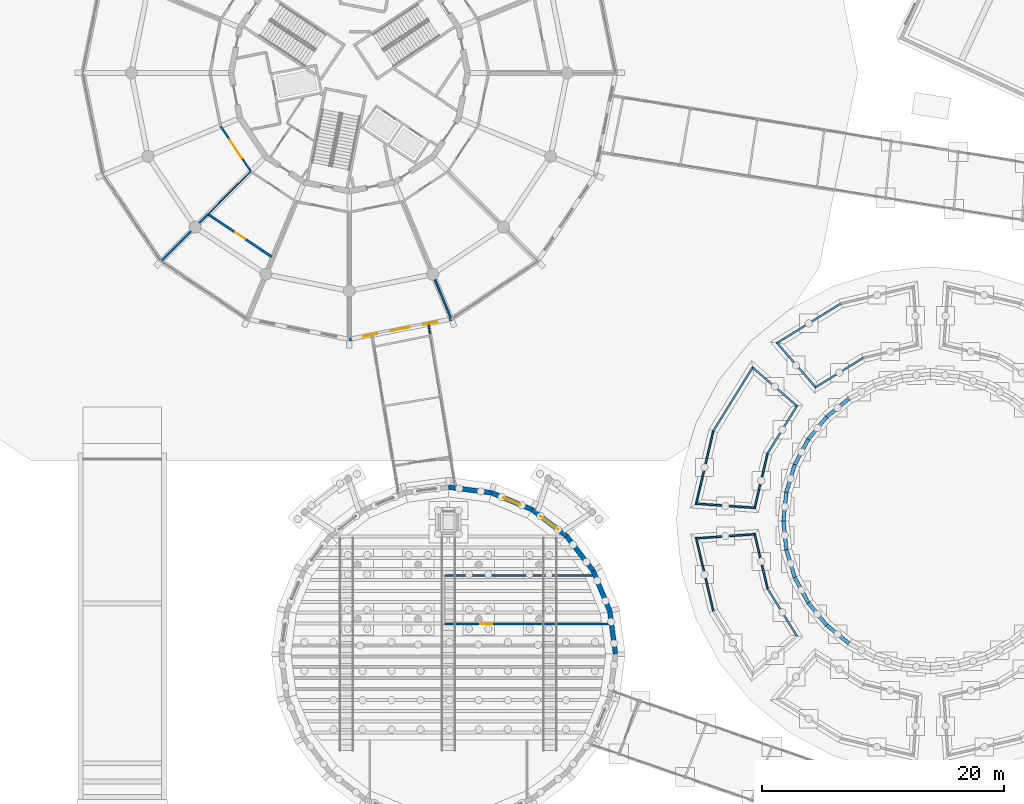
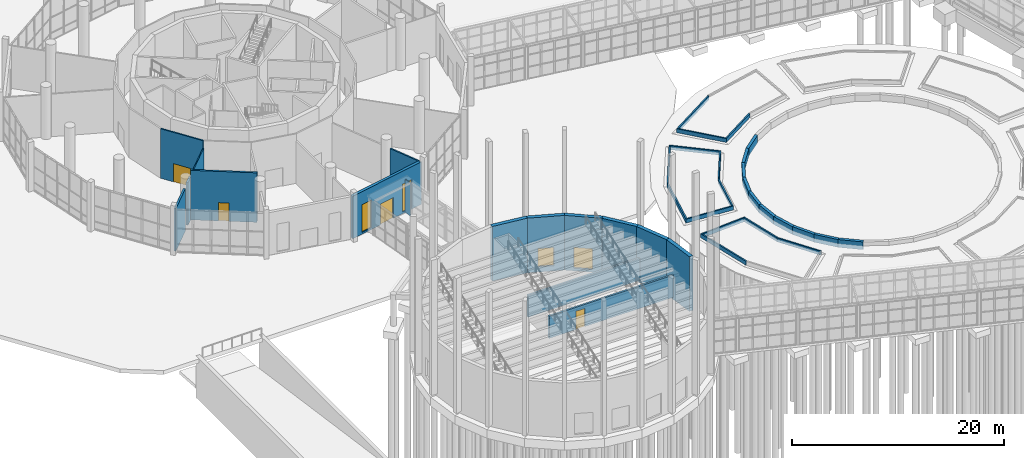
# One storey, part 162 of 226: 39 walls, 5 doors, 3 windows, 8 openings.
"""IFC4 building model written with IfcOpenShell, lengths in metres."""

from ifc_helpers import new_model, si_unit, direction, frame, frame_2d, origin, place, context, subcontext, project, spatial, polyline, rectangle, outline, extrude, material, layer, layer_set, type_object, element, fill, save


model = new_model("IFC4")

# Units and contexts
model_context = context("Model", 3, precision=1e-05, world=origin(), true_north=direction((0.0, 1.0)))
body_context = subcontext(model_context, "Body", "Model", "MODEL_VIEW")
ifc_project = project(units=[si_unit("LENGTHUNIT", "METRE"), si_unit("AREAUNIT", "SQUARE_METRE"), si_unit("VOLUMEUNIT", "CUBIC_METRE"), si_unit("PLANEANGLEUNIT", "RADIAN"), si_unit("MASSUNIT", "GRAM", prefix="KILO")], contexts=[model_context])

# Site, building, storey
site_placement = place(None, origin())
site = spatial("IfcSite", under=ifc_project, at=site_placement, CompositionType="ELEMENT")
building_placement = place(site_placement, origin())
building = spatial("IfcBuilding", under=site, at=building_placement, Name="Ceibo Conservatory and Research Tower", CompositionType="ELEMENT")
storey_placement = place(building_placement, origin())
storey = spatial("IfcBuildingStorey", under=building, at=storey_placement, Name="L00", CompositionType="ELEMENT", Elevation=0.0)

# Walls
ifc_material_1 = material(Name="Concrete C30/37", Category="concrete")
ifc_layer_1 = layer(ifc_material_1, 0.300048828125)
ifc_layer_set_1 = layer_set([ifc_layer_1], Name="Concrete C30/37")
wall_type_1 = type_object("IfcWallType", Name="Basin kerb wall 300", PredefinedType="PARAPET", material=ifc_layer_set_1)
for number, where, z_axis, x_axis, name in (
    (1, (89.250244140625, 93.101806640625, -0.449951171875), (0.0, 0.0, 1.0), (-0.772997321225, -0.634409285382, 0.0), "Basin kerb 12"),
    (2, (87.4091796875, 91.5908203125, -0.449951171875), (0.0, 0.0, 1.0), (-0.634409285382, -0.772997321225, 0.0), "Basin kerb 13"),
):
    element("IfcWall", number, at=place(storey_placement, frame(where, z_axis=z_axis, x_axis=x_axis)), inside=storey, type_object=wall_type_1, Name=name, PredefinedType="PARAPET", context=body_context, shape_type="SweptSolid", body=[
        extrude(outline(polyline([(-0.014892578125, -0.14990234375), (2.396728515625, -0.14990234375), (2.366943359375, 0.14990234375), (0.014892578125, 0.14990234375), (-0.014892578125, -0.14990234375)])), origin(), (0.0, 0.0, 1.0), 0.89990234375),
    ])
wall_1_placement = place(storey_placement, frame((85.898193359375, 89.749755859375, -0.449951171875), z_axis=(0.0, 0.0, 1.0), x_axis=(-0.471364898208, -0.881938281705, 0.0)))
element("IfcWall", 3, at=wall_1_placement, inside=storey, type_object=wall_type_1, Name="Basin kerb 14", PredefinedType="PARAPET", context=body_context, shape_type="SweptSolid", body=[
    extrude(outline(polyline([(-0.014892578125, -0.14990234375), (2.396484375, -0.14990234375), (2.36669921875, 0.14990234375), (0.014892578125, 0.14990234375), (-0.014892578125, -0.14990234375)])), origin(), (0.0, 0.0, 1.0), 0.89990234375),
])
wall_2_placement = place(storey_placement, frame((84.775634765625, 87.6494140625, -0.449951171875), z_axis=(0.0, 0.0, 1.0), x_axis=(-0.290280487381, -0.956941606706, 0.0)))
element("IfcWall", 4, at=wall_2_placement, inside=storey, type_object=wall_type_1, Name="Basin kerb 15", PredefinedType="PARAPET", context=body_context, shape_type="SweptSolid", body=[
    extrude(outline(polyline([(-0.014892578125, -0.14990234375), (2.396728515625, -0.14990234375), (2.366943359375, 0.14990234375), (0.014892578125, 0.14990234375), (-0.014892578125, -0.14990234375)])), origin(), (0.0, 0.0, 1.0), 0.89990234375),
])
for number, where, z_axis, x_axis, name in (
    (5, (84.084228515625, 85.3701171875, -0.449951171875), (0.0, 0.0, 1.0), (-0.098001449933, -0.995186271916, 0.0), "Basin kerb 16"),
    (6, (83.850830078125, 83.0, -0.449951171875), (0.0, 0.0, 1.0), (0.098001449933, -0.995186271916, 0.0), "Basin kerb 17"),
):
    element("IfcWall", number, at=place(storey_placement, frame(where, z_axis=z_axis, x_axis=x_axis)), inside=storey, type_object=wall_type_1, Name=name, PredefinedType="PARAPET", context=body_context, shape_type="SweptSolid", body=[
        extrude(outline(polyline([(-0.014892578125, -0.14990234375), (2.396484375, -0.14990234375), (2.36669921875, 0.14990234375), (0.014892578125, 0.14990234375), (-0.014892578125, -0.14990234375)])), origin(), (0.0, 0.0, 1.0), 0.89990234375),
    ])
wall_3_placement = place(storey_placement, frame((84.084228515625, 80.6298828125, -0.449951171875), z_axis=(0.0, 0.0, 1.0), x_axis=(0.290280487381, -0.956941606706, 0.0)))
element("IfcWall", 7, at=wall_3_placement, inside=storey, type_object=wall_type_1, Name="Basin kerb 18", PredefinedType="PARAPET", context=body_context, shape_type="SweptSolid", body=[
    extrude(outline(polyline([(-0.014892578125, -0.14990234375), (2.396728515625, -0.14990234375), (2.366943359375, 0.14990234375), (0.014892578125, 0.14990234375), (-0.014892578125, -0.14990234375)])), origin(), (0.0, 0.0, 1.0), 0.89990234375),
])
wall_4_placement = place(storey_placement, frame((84.775634765625, 78.3505859375, -0.449951171875), z_axis=(0.0, 0.0, 1.0), x_axis=(0.471364898208, -0.881938281705, 0.0)))
element("IfcWall", 8, at=wall_4_placement, inside=storey, type_object=wall_type_1, Name="Basin kerb 19", PredefinedType="PARAPET", context=body_context, shape_type="SweptSolid", body=[
    extrude(outline(polyline([(-0.014892578125, -0.14990234375), (2.396484375, -0.14990234375), (2.36669921875, 0.14990234375), (0.014892578125, 0.14990234375), (-0.014892578125, -0.14990234375)])), origin(), (0.0, 0.0, 1.0), 0.89990234375),
])
for number, where, z_axis, x_axis, name in (
    (9, (85.898193359375, 76.250244140625, -0.449951171875), (0.0, 0.0, 1.0), (0.634409285382, -0.772997321225, 0.0), "Basin kerb 20"),
    (10, (87.4091796875, 74.4091796875, -0.449951171875), (0.0, 0.0, 1.0), (0.772997321225, -0.634409285382, 0.0), "Basin kerb 21"),
):
    element("IfcWall", number, at=place(storey_placement, frame(where, z_axis=z_axis, x_axis=x_axis)), inside=storey, type_object=wall_type_1, Name=name, PredefinedType="PARAPET", context=body_context, shape_type="SweptSolid", body=[
        extrude(outline(polyline([(-0.014892578125, -0.14990234375), (2.396728515625, -0.14990234375), (2.366943359375, 0.14990234375), (0.014892578125, 0.14990234375), (-0.014892578125, -0.14990234375)])), origin(), (0.0, 0.0, 1.0), 0.89990234375),
    ])
ifc_layer_2 = layer(ifc_material_1, 0.14990234375)
ifc_layer_set_2 = layer_set([ifc_layer_2], Name="Concrete C30/37")
wall_type_2 = type_object("IfcWallType", Name="Bed kerb wall 150", PredefinedType="PARAPET", material=ifc_layer_set_2)
wall_5_placement = place(storey_placement, frame((88.566650390625, 100.945556640625, 0.0), z_axis=(0.0, 0.0, 1.0), x_axis=(-0.850340207084, -0.526233343886, 0.0)))
element("IfcWall", 11, at=wall_5_placement, inside=storey, type_object=wall_type_2, Name="Bed PB3 kerb 03", PredefinedType="PARAPET", context=body_context, shape_type="SweptSolid", body=[
    extrude(outline(polyline([(-0.01220703125, -0.074951171875), (6.256591796875, -0.074951171875), (6.080322265625, 0.074951171875), (0.01220703125, 0.074951171875), (-0.01220703125, -0.074951171875)])), origin(), (0.0, 0.0, 1.0), 0.449951171875),
])
wall_6_placement = place(storey_placement, frame((83.3212890625, 97.699462890625, 0.0), z_axis=(0.0, 0.0, 1.0), x_axis=(0.656059019248, -0.754709588692, 0.0)))
element("IfcWall", 12, at=wall_6_placement, inside=storey, type_object=wall_type_2, Name="Bed PB3 kerb 04", PredefinedType="PARAPET", context=body_context, shape_type="SweptSolid", body=[
    extrude(outline(polyline([(-0.088134765625, -0.074951171875), (4.911865234375, -0.074951171875), (4.784423828125, 0.074951171875), (0.088134765625, 0.074951171875), (-0.088134765625, -0.074951171875)])), origin(), (0.0, 0.0, 1.0), 0.449951171875),
])
wall_7_placement = place(storey_placement, frame((86.501953125, 94.04052734375, 0.0), z_axis=(0.0, 0.0, 1.0), x_axis=(0.850337369137, 0.526237929695, 0.0)))
element("IfcWall", 13, at=wall_7_placement, inside=storey, type_object=wall_type_2, Name="Bed PB3 kerb 05", PredefinedType="PARAPET", context=body_context, shape_type="SweptSolid", body=[
    extrude(outline(polyline([(-0.063720703125, -0.074951171875), (4.597900390625, -0.074951171875), (4.622314453125, 0.074951171875), (0.063720703125, 0.074951171875), (-0.063720703125, -0.074951171875)])), origin(), (0.0, 0.0, 1.0), 0.449951171875),
])
wall_8_placement = place(storey_placement, frame((84.95947265625, 92.498046875, 0.0), z_axis=(0.0, 0.0, 1.0), x_axis=(-0.754709588692, 0.656059019248, 0.0)))
element("IfcWall", 14, at=wall_8_placement, inside=storey, type_object=wall_type_2, Name="Bed PB4 kerb 01", PredefinedType="PARAPET", context=body_context, shape_type="SweptSolid", body=[
    extrude(outline(polyline([(-0.063720703125, -0.074951171875), (4.936279296875, -0.074951171875), (4.760009765625, 0.074951171875), (0.063720703125, 0.074951171875), (-0.063720703125, -0.074951171875)])), origin(), (0.0, 0.0, 1.0), 0.449951171875),
])
wall_9_placement = place(storey_placement, frame((81.300537109375, 95.6787109375, 0.0), z_axis=(0.0, 0.0, 1.0), x_axis=(-0.526233343886, -0.850340207084, 0.0)))
element("IfcWall", 15, at=wall_9_placement, inside=storey, type_object=wall_type_2, Name="Bed PB4 kerb 02", PredefinedType="PARAPET", context=body_context, shape_type="SweptSolid", body=[
    extrude(outline(polyline([(-0.088134765625, -0.074951171875), (6.1806640625, -0.074951171875), (6.15625, 0.074951171875), (0.088134765625, 0.074951171875), (-0.088134765625, -0.074951171875)])), origin(), (0.0, 0.0, 1.0), 0.449951171875),
])
wall_10_placement = place(storey_placement, frame((78.054443359375, 90.433349609375, 0.0), z_axis=(0.0, 0.0, 1.0), x_axis=(-0.229195955664, -0.973380302815, 0.0)))
element("IfcWall", 16, at=wall_10_placement, inside=storey, type_object=wall_type_2, Name="Bed PB4 kerb 03", PredefinedType="PARAPET", context=body_context, shape_type="SweptSolid", body=[
    extrude(outline(polyline([(-0.01220703125, -0.074951171875), (6.2568359375, -0.074951171875), (6.08056640625, 0.074951171875), (0.01220703125, 0.074951171875), (-0.01220703125, -0.074951171875)])), origin(), (0.0, 0.0, 1.0), 0.449951171875),
])
wall_11_placement = place(storey_placement, frame((76.640625, 84.428955078125, 0.0), z_axis=(0.0, 0.0, 1.0), x_axis=(0.997564926724, -0.069743938592, 0.0)))
element("IfcWall", 17, at=wall_11_placement, inside=storey, type_object=wall_type_2, Name="Bed PB4 kerb 04", PredefinedType="PARAPET", context=body_context, shape_type="SweptSolid", body=[
    extrude(outline(polyline([(-0.088134765625, -0.074951171875), (4.911865234375, -0.074951171875), (4.784423828125, 0.074951171875), (0.088134765625, 0.074951171875), (-0.088134765625, -0.074951171875)])), origin(), (0.0, 0.0, 1.0), 0.449951171875),
])
wall_12_placement = place(storey_placement, frame((81.47705078125, 84.0908203125, 0.0), z_axis=(0.0, 0.0, 1.0), x_axis=(0.229166266762, 0.973387293002, 0.0)))
element("IfcWall", 18, at=wall_12_placement, inside=storey, type_object=wall_type_2, Name="Bed PB4 kerb 05", PredefinedType="PARAPET", context=body_context, shape_type="SweptSolid", body=[
    extrude(outline(polyline([(-0.063720703125, -0.074951171875), (4.597412109375, -0.074951171875), (4.621826171875, 0.074951171875), (0.063720703125, 0.074951171875), (-0.063720703125, -0.074951171875)])), origin(), (0.0, 0.0, 1.0), 0.449951171875),
])
wall_13_placement = place(storey_placement, frame((82.533447265625, 88.577880859375, 0.0), z_axis=(0.0, 0.0, 1.0), x_axis=(0.526237929695, 0.850337369137, 0.0)))
element("IfcWall", 19, at=wall_13_placement, inside=storey, type_object=wall_type_2, Name="Bed PB4 kerb 06", PredefinedType="PARAPET", context=body_context, shape_type="SweptSolid", body=[
    extrude(outline(polyline([(0.01220703125, -0.074951171875), (4.673828125, -0.074951171875), (4.54638671875, 0.074951171875), (-0.01220703125, 0.074951171875), (0.01220703125, -0.074951171875)])), origin(), (0.0, 0.0, 1.0), 0.449951171875),
])
wall_14_placement = place(storey_placement, frame((81.47705078125, 81.9091796875, 0.0), z_axis=(0.0, 0.0, 1.0), x_axis=(-0.997564926724, -0.069743938592, 0.0)))
element("IfcWall", 20, at=wall_14_placement, inside=storey, type_object=wall_type_2, Name="Bed PB5 kerb 01", PredefinedType="PARAPET", context=body_context, shape_type="SweptSolid", body=[
    extrude(outline(polyline([(-0.063720703125, -0.074951171875), (4.936279296875, -0.074951171875), (4.760009765625, 0.074951171875), (0.063720703125, 0.074951171875), (-0.063720703125, -0.074951171875)])), origin(), (0.0, 0.0, 1.0), 0.449951171875),
])
wall_15_placement = place(storey_placement, frame((76.640625, 81.571044921875, 0.0), z_axis=(0.0, 0.0, 1.0), x_axis=(0.229195955664, -0.973380302815, 0.0)))
element("IfcWall", 21, at=wall_15_placement, inside=storey, type_object=wall_type_2, Name="Bed PB5 kerb 02", PredefinedType="PARAPET", context=body_context, shape_type="SweptSolid", body=[
    extrude(outline(polyline([(-0.088134765625, -0.074951171875), (6.180908203125, -0.074951171875), (6.156494140625, 0.074951171875), (0.088134765625, 0.074951171875), (-0.088134765625, -0.074951171875)])), origin(), (0.0, 0.0, 1.0), 0.449951171875),
])
wall_16_placement = place(storey_placement, frame((84.95947265625, 73.501953125, 0.0), z_axis=(0.0, 0.0, 1.0), x_axis=(-0.526237929695, 0.850337369137, 0.0)))
element("IfcWall", 22, at=wall_16_placement, inside=storey, type_object=wall_type_2, Name="Bed PB5 kerb 05", PredefinedType="PARAPET", context=body_context, shape_type="SweptSolid", body=[
    extrude(outline(polyline([(-0.063720703125, -0.074951171875), (4.597900390625, -0.074951171875), (4.622314453125, 0.074951171875), (0.063720703125, 0.074951171875), (-0.063720703125, -0.074951171875)])), origin(), (0.0, 0.0, 1.0), 0.449951171875),
])
wall_17_placement = place(storey_placement, frame((82.533447265625, 77.422119140625, 0.0), z_axis=(0.0, 0.0, 1.0), x_axis=(-0.229166266762, 0.973387293002, 0.0)))
element("IfcWall", 23, at=wall_17_placement, inside=storey, type_object=wall_type_2, Name="Bed PB5 kerb 06", PredefinedType="PARAPET", context=body_context, shape_type="SweptSolid", body=[
    extrude(outline(polyline([(0.01220703125, -0.074951171875), (4.67333984375, -0.074951171875), (4.5458984375, 0.074951171875), (-0.01220703125, 0.074951171875), (0.01220703125, -0.074951171875)])), origin(), (0.0, 0.0, 1.0), 0.449951171875),
])
ifc_material_2 = material(Name="Masonry blockwork", Category="masonry")
ifc_layer_3 = layer(ifc_material_2, 0.199951171875)
ifc_layer_set_3 = layer_set([ifc_layer_3], Name="Masonry blockwork")
wall_type_3 = type_object("IfcWallType", Name="Compartment wall 200 EI 120", PredefinedType="SOLIDWALL", material=ifc_layer_set_3)
wall_18_placement = place(storey_placement, frame((34.925537109375, 106.925537109375, 0.0), z_axis=(0.0, 0.0, 1.0), x_axis=(-0.707106781187, -0.707106781187, 0.0)))
element("IfcWall", 24, at=wall_18_placement, inside=storey, type_object=wall_type_3, Name="Partition 00.033", PredefinedType="SOLIDWALL", context=body_context, shape_type="SweptSolid", body=[
    extrude(rectangle(XDim=3.448486328125, YDim=0.199951171875, at=frame_2d((1.72412109375, 0.0))), origin(), (0.0, 0.0, 1.0), 4.89990234375),
])
wall_19_placement = place(storey_placement, frame((36.332763671875, 108.332763671875, 0.0), z_axis=(0.0, 0.0, 1.0), x_axis=(-0.707106781187, -0.707106781187, 0.0)))
element("IfcWall", 25, at=wall_19_placement, inside=storey, type_object=wall_type_3, Name="Partition 00.034", PredefinedType="SOLIDWALL", context=body_context, shape_type="SweptSolid", body=[
    extrude(rectangle(XDim=1.010009765625, YDim=0.199951171875, at=frame_2d((0.5048828125, 0.0))), origin(), (0.0, 0.0, 1.0), 4.89990234375),
])

# Wall, opening, door
wall_20_placement = place(storey_placement, frame((41.626220703125, 104.795654296875, 0.0), z_axis=(0.0, 0.0, 1.0), x_axis=(-0.831473419285, 0.555564535426, 0.0)))
wall_20 = element("IfcWall", 26, at=wall_20_placement, inside=storey, type_object=wall_type_3, Name="Partition 00.035", PredefinedType="SOLIDWALL", context=body_context, shape_type="SweptSolid", body=[
    extrude(rectangle(XDim=6.320556640625, YDim=0.199951171875, at=frame_2d((3.16015625, 0.0))), origin(), (0.0, 0.0, 1.0), 5.699951171875),
])
opening_1_placement = place(wall_20_placement, frame((2.66015625, 0.0, 0.0)))
opening_1 = element("IfcOpeningElement", 27, at=opening_1_placement, cuts=wall_20, Name="Opening T00-12", PredefinedType="OPENING", context=body_context, shape_type="SweptSolid", body=[
    extrude(rectangle(XDim=1.0, YDim=2.10009765625, at=frame_2d((0.5, 1.050048828125))), frame((0.0, 0.10986328125, 0.0), z_axis=(0.0, -1.0, 0.0), x_axis=(1.0, 0.0, 0.0)), (0.0, 0.0, 1.0), 0.219970703125),
])
ifc_material_3 = material(Name="Solid timber", Category="wood")
door_type_1 = type_object("IfcDoorType", Name="Door single wide 1000x2100 (right hand)", OperationType="SINGLE_SWING_RIGHT", PredefinedType="DOOR", material=ifc_material_3)
door_1_placement = place(opening_1_placement, origin())
door_1 = element("IfcDoor", 28, at=door_1_placement, inside=storey, type_object=door_type_1, Name="Door T00-12", OperationType="SINGLE_SWING_RIGHT", OverallHeight=2.10009765625, OverallWidth=1.0, PredefinedType="DOOR", context=body_context, shape_type="SweptSolid", body=[
    extrude(rectangle(XDim=1.0, YDim=2.10009765625, at=frame_2d((0.5, 1.050048828125))), frame((0.0, 0.02490234375, 0.0), z_axis=(0.0, -1.0, 0.0), x_axis=(1.0, 0.0, 0.0)), (0.0, 0.0, 1.0), 0.050048828125),
])
fill(opening_1, door_1)

wall_21_placement = place(storey_placement, frame((55.89990234375, 74.5, 0.0), z_axis=(0.0, 0.0, 1.0), x_axis=(1.0, 0.0, 0.0)))
wall_21 = element("IfcWall", 29, at=wall_21_placement, inside=storey, type_object=wall_type_3, Name="Plant room wall A04", PredefinedType="SOLIDWALL", context=body_context, shape_type="SweptSolid", body=[
    extrude(rectangle(XDim=13.547607421875, YDim=0.199951171875, at=frame_2d((6.77392578125, 0.0))), origin(), (0.0, 0.0, 1.0), 2.550048828125),
])
opening_2_placement = place(wall_21_placement, frame((2.900146484375, 0.0, 0.0)))
opening_2 = element("IfcOpeningElement", 30, at=opening_2_placement, cuts=wall_21, Name="Opening AUD-D01", PredefinedType="OPENING", context=body_context, shape_type="SweptSolid", body=[
    extrude(rectangle(XDim=1.0, YDim=2.10009765625, at=frame_2d((0.5, 1.050048828125))), frame((0.0, 0.10986328125, 0.0), z_axis=(0.0, -1.0, 0.0), x_axis=(1.0, 0.0, 0.0)), (0.0, 0.0, 1.0), 0.219970703125),
])
door_type_2 = type_object("IfcDoorType", Name="Door single wide 1000x2100 EI 120 (left hand)", OperationType="SINGLE_SWING_LEFT", PredefinedType="DOOR", material=ifc_material_3)
door_2_placement = place(opening_2_placement, frame((1.0, 0.0, 0.0), z_axis=(0.0, 0.0, 1.0), x_axis=(-1.0, 0.0, 0.0)))
door_2 = element("IfcDoor", 31, at=door_2_placement, inside=storey, type_object=door_type_2, Name="Plant room door AUD-D01", OperationType="SINGLE_SWING_LEFT", OverallHeight=2.10009765625, OverallWidth=1.0, PredefinedType="DOOR", context=body_context, shape_type="SweptSolid", body=[
    extrude(rectangle(XDim=1.0, YDim=2.10009765625, at=frame_2d((0.5, 1.050048828125))), frame((0.0, 0.02490234375, 0.0), z_axis=(0.0, -1.0, 0.0), x_axis=(1.0, 0.0, 0.0)), (0.0, 0.0, 1.0), 0.050048828125),
])
fill(opening_2, door_2)

# Wall
wall_22_placement = place(storey_placement, frame((55.89990234375, 78.5, 0.0), z_axis=(0.0, 0.0, 1.0), x_axis=(1.0, 0.0, 0.0)))
element("IfcWall", 32, at=wall_22_placement, inside=storey, type_object=wall_type_3, Name="Plant room wall A05", PredefinedType="SOLIDWALL", context=body_context, shape_type="SweptSolid", body=[
    extrude(rectangle(XDim=12.1787109375, YDim=0.199951171875, at=frame_2d((6.08935546875, 0.0))), origin(), (0.0, 0.0, 1.0), 2.550048828125),
])

# Wall, opening, door
ifc_material_4 = material(Name="Plasterboard on metal studs, fire board")
ifc_layer_4 = layer(ifc_material_4, 0.14990234375)
ifc_layer_set_4 = layer_set([ifc_layer_4], Name="Plasterboard on metal studs, fire board")
wall_type_4 = type_object("IfcWallType", Name="Corridor wall 150 EI 60", PredefinedType="PARTITIONING", material=ifc_layer_set_4)
wall_23_placement = place(storey_placement, frame((39.868408203125, 111.868408203125, 0.0), z_axis=(0.0, 0.0, 1.0), x_axis=(-0.555591382192, 0.831455480489, 0.0)))
wall_23 = element("IfcWall", 33, at=wall_23_placement, inside=storey, type_object=wall_type_4, Name="Partition 00.009", PredefinedType="PARTITIONING", context=body_context, shape_type="SweptSolid", body=[
    extrude(rectangle(XDim=4.487060546875, YDim=0.14990234375, at=frame_2d((2.24365234375, 0.0))), origin(), (0.0, 0.0, 1.0), 5.699951171875),
])
opening_3_placement = place(wall_23_placement, frame((1.343505859375, 0.0, 0.0)))
opening_3 = element("IfcOpeningElement", 34, at=opening_3_placement, cuts=wall_23, Name="Opening T00-10", PredefinedType="OPENING", context=body_context, shape_type="SweptSolid", body=[
    extrude(rectangle(XDim=1.800048828125, YDim=2.10009765625, at=frame_2d((0.89990234375, 1.050048828125))), frame((0.0, 0.0849609375, 0.0), z_axis=(0.0, -1.0, 0.0), x_axis=(1.0, 0.0, 0.0)), (0.0, 0.0, 1.0), 0.169921875),
])
ifc_material_5 = material(Name="Galvanised sheet steel DX51D", Category="steel")
door_type_3 = type_object("IfcDoorType", Name="Door fire double 1800x2100 EI 60", OperationType="DOUBLE_DOOR_SINGLE_SWING", PredefinedType="DOOR", material=ifc_material_5)
door_3_placement = place(opening_3_placement, origin())
door_3 = element("IfcDoor", 35, at=door_3_placement, inside=storey, type_object=door_type_3, Name="Door T00-10", OperationType="DOUBLE_DOOR_SINGLE_SWING", OverallHeight=2.10009765625, OverallWidth=1.800048828125, PredefinedType="DOOR", context=body_context, shape_type="SweptSolid", body=[
    extrude(rectangle(XDim=1.800048828125, YDim=2.10009765625, at=frame_2d((0.89990234375, 1.050048828125))), frame((0.0, 0.02490234375, 0.0), z_axis=(0.0, -1.0, 0.0), x_axis=(1.0, 0.0, 0.0)), (0.0, 0.0, 1.0), 0.050048828125),
])
fill(opening_3, door_3)

# Wall
wall_24_placement = place(storey_placement, frame((55.075927734375, 102.91748046875, 0.0), z_axis=(0.0, 0.0, 1.0), x_axis=(0.382654004196, -0.923891721509, 0.0)))
element("IfcWall", 36, at=wall_24_placement, inside=storey, type_object=wall_type_4, Name="Partition 00.042", PredefinedType="PARTITIONING", context=body_context, shape_type="SweptSolid", body=[
    extrude(rectangle(XDim=3.448486328125, YDim=0.14990234375, at=frame_2d((1.72412109375, 0.0))), origin(), (0.0, 0.0, 1.0), 4.89990234375),
])

# Wall, openings, door, windows
ifc_material_6 = material(Name="Ceramic mosaic tessera")
ifc_layer_5 = layer(ifc_material_6, 0.010009765625, Name="Ceramic mosaic")
ifc_material_7 = material(Name="Polymer-modified bedding mortar")
ifc_layer_6 = layer(ifc_material_7, 0.014892578125, Name="Bedding mortar")
ifc_material_8 = material(Name="Mineral wool insulation")
ifc_layer_7 = layer(ifc_material_8, 0.050048828125, Name="Insulation")
ifc_layer_8 = layer(ifc_material_1, 0.215087890625, Name="Reinforced concrete leaf")
ifc_material_9 = material(Name="Gypsum plaster")
ifc_layer_9 = layer(ifc_material_9, 0.010009765625, Name="Internal plaster")
ifc_layer_set_5 = layer_set([ifc_layer_5, ifc_layer_6, ifc_layer_7, ifc_layer_8, ifc_layer_9], Name="Concrete C30/37")
wall_type_5 = type_object("IfcWallType", Name="Facade panel wall 300", PredefinedType="SOLIDWALL", material=ifc_layer_set_5)
wall_25_placement = place(storey_placement, frame((48.0, 98.0, 0.0), z_axis=(0.0, 0.0, 1.0), x_axis=(0.980786880766, 0.195082276278, 0.0)))
wall_25 = element("IfcWall", 37, at=wall_25_placement, inside=storey, type_object=wall_type_5, Name="Facade wall L00 facet 13", PredefinedType="SOLIDWALL", context=body_context, shape_type="SweptSolid", body=[
    extrude(outline(polyline([(-0.02978515625, -0.14990234375), (8.61376953125, -0.14990234375), (8.55419921875, 0.14990234375), (0.02978515625, 0.14990234375), (-0.02978515625, -0.14990234375)])), origin(), (0.0, 0.0, 1.0), 4.89990234375),
])
opening_4_placement = place(wall_25_placement, frame((3.491943359375, 0.0, 0.0)))
opening_4 = element("IfcOpeningElement", 38, at=opening_4_placement, cuts=wall_25, Name="Opening E00.04", PredefinedType="OPENING", context=body_context, shape_type="SweptSolid", body=[
    extrude(rectangle(XDim=1.60009765625, YDim=2.39990234375, at=frame_2d((0.800048828125, 1.199951171875))), frame((0.0, 0.159912109375, 0.0), z_axis=(0.0, -1.0, 0.0), x_axis=(1.0, 0.0, 0.0)), (0.0, 0.0, 1.0), 0.320068359375),
])
opening_5_placement = place(wall_25_placement, frame((1.160888671875, 0.0, 0.199951171875)))
opening_5 = element("IfcOpeningElement", 39, at=opening_5_placement, cuts=wall_25, Name="Opening SW4", PredefinedType="OPENING", context=body_context, shape_type="SweptSolid", body=[
    extrude(rectangle(XDim=1.199951171875, YDim=3.199951171875, at=frame_2d((0.60009765625, 1.60009765625))), frame((0.0, 0.159912109375, 0.0), z_axis=(0.0, -1.0, 0.0), x_axis=(1.0, 0.0, 0.0)), (0.0, 0.0, 1.0), 0.320068359375),
])
opening_6_placement = place(wall_25_placement, frame((6.22314453125, 0.0, 0.199951171875)))
opening_6 = element("IfcOpeningElement", 40, at=opening_6_placement, cuts=wall_25, Name="Opening SW4", PredefinedType="OPENING", context=body_context, shape_type="SweptSolid", body=[
    extrude(rectangle(XDim=1.199951171875, YDim=3.199951171875, at=frame_2d((0.60009765625, 1.60009765625))), frame((0.0, 0.159912109375, 0.0), z_axis=(0.0, -1.0, 0.0), x_axis=(1.0, 0.0, 0.0)), (0.0, 0.0, 1.0), 0.320068359375),
])
ifc_material_10 = material(Name="Aluminium and glass", Category="aluminium")
door_type_4 = type_object("IfcDoorType", Name="Exterior gallery link double door 1600 x 2400", OperationType="DOUBLE_DOOR_DOUBLE_SWING", PredefinedType="DOOR", material=ifc_material_10)
door_4_placement = place(opening_4_placement, origin())
door_4 = element("IfcDoor", 41, at=door_4_placement, inside=storey, type_object=door_type_4, Name="Auditorium Foyer Link Door", OperationType="DOUBLE_DOOR_DOUBLE_SWING", OverallHeight=2.39990234375, OverallWidth=1.60009765625, PredefinedType="DOOR", context=body_context, shape_type="SweptSolid", body=[
    extrude(rectangle(XDim=1.60009765625, YDim=2.39990234375, at=frame_2d((0.800048828125, 1.199951171875))), frame((0.0, 0.02490234375, 0.0), z_axis=(0.0, -1.0, 0.0), x_axis=(1.0, 0.0, 0.0)), (0.0, 0.0, 1.0), 0.050048828125),
])
fill(opening_4, door_4)
ifc_material_11 = material(Name="Aluminium frame with double glazing", Category="aluminium")
window_type_1 = type_object("IfcWindowType", Name="Shopfront window SW2 1200 x 3200", PartitioningType="SINGLE_PANEL", PredefinedType="WINDOW", material=ifc_material_11)
window_1_placement = place(opening_5_placement, origin())
window_1 = element("IfcWindow", 42, at=window_1_placement, inside=storey, type_object=window_type_1, Name="T.L00.F12.WIN.1", OverallHeight=3.199951171875, OverallWidth=1.199951171875, PartitioningType="SINGLE_PANEL", PredefinedType="WINDOW", context=body_context, shape_type="SweptSolid", body=[
    extrude(rectangle(XDim=1.199951171875, YDim=3.199951171875, at=frame_2d((0.60009765625, 1.60009765625))), frame((0.0, 0.030029296875, 0.0), z_axis=(0.0, -1.0, 0.0), x_axis=(1.0, 0.0, 0.0)), (0.0, 0.0, 1.0), 0.06005859375),
])
fill(opening_5, window_1)
window_2_placement = place(opening_6_placement, origin())
window_2 = element("IfcWindow", 43, at=window_2_placement, inside=storey, type_object=window_type_1, Name="T.L00.F12.WIN.2", OverallHeight=3.199951171875, OverallWidth=1.199951171875, PartitioningType="SINGLE_PANEL", PredefinedType="WINDOW", context=body_context, shape_type="SweptSolid", body=[
    extrude(rectangle(XDim=1.199951171875, YDim=3.199951171875, at=frame_2d((0.60009765625, 1.60009765625))), frame((0.0, 0.030029296875, 0.0), z_axis=(0.0, -1.0, 0.0), x_axis=(1.0, 0.0, 0.0)), (0.0, 0.0, 1.0), 0.06005859375),
])
fill(opening_6, window_2)

# Walls
ifc_layer_10 = layer(ifc_material_10, 0.10009765625)
ifc_layer_set_6 = layer_set([ifc_layer_10], Name="Aluminium and glass")
wall_type_6 = type_object("IfcWallType", Name="Gallery end infill wall 100", PredefinedType="PARTITIONING", material=ifc_layer_set_6)
wall_26_placement = place(storey_placement, frame((54.531982421875, 99.197265625, 0.0), z_axis=(0.0, 0.0, 1.0), x_axis=(0.162761553598, -0.986665432997, 0.0)))
element("IfcWall", 44, at=wall_26_placement, inside=storey, type_object=wall_type_6, Name="Gallery end infill RT-AUD-CKN0", PredefinedType="PARTITIONING", context=body_context, shape_type="SweptSolid", body=[
    extrude(rectangle(XDim=0.798095703125, YDim=0.10009765625, at=frame_2d((0.39892578125, 0.0))), origin(), (0.0, 0.0, 1.0), 3.800048828125),
])
ifc_material_12 = material(Name="Plasterboard on metal studs")
ifc_layer_11 = layer(ifc_material_12, 0.10009765625)
ifc_layer_set_7 = layer_set([ifc_layer_11], Name="Plasterboard on metal studs")
wall_type_7 = type_object("IfcWallType", Name="Partition 100", PredefinedType="PARTITIONING", material=ifc_layer_set_7)
wall_27_placement = place(storey_placement, frame((39.81787109375, 111.81787109375, 0.0), z_axis=(0.0, 0.0, 1.0), x_axis=(-0.707106781187, -0.707106781187, 0.0)))
element("IfcWall", 45, at=wall_27_placement, inside=storey, type_object=wall_type_7, Name="Partition 00.032", PredefinedType="PARTITIONING", context=body_context, shape_type="SweptSolid", body=[
    extrude(rectangle(XDim=4.9287109375, YDim=0.10009765625, at=frame_2d((2.46435546875, 0.0))), origin(), (0.0, 0.0, 1.0), 4.89990234375),
])
ifc_material_13 = material(Name="Concrete C40/50", Category="concrete")
ifc_layer_12 = layer(ifc_material_13, 0.39990234375)
ifc_layer_set_8 = layer_set([ifc_layer_12], Name="Concrete C40/50")
wall_type_8 = type_object("IfcWallType", Name="RC drum wall 400 C40", PredefinedType="SOLIDWALL", material=ifc_layer_set_8)
for number, where, z_axis, x_axis, name in (
    (46, (69.978271484375, 72.0, -0.300048828125), (0.0, 0.0, 1.0), (-0.13047204524, 0.991451988455, 0.0), "Auditorium wall L00 01"),
    (47, (69.50830078125, 75.5712890625, -0.300048828125), (0.0, 0.0, 1.0), (-0.382732890199, 0.923859044855, 0.0), "Auditorium wall L00 02"),
):
    element("IfcWall", number, at=place(storey_placement, frame(where, z_axis=z_axis, x_axis=x_axis)), inside=storey, type_object=wall_type_8, Name=name, PredefinedType="SOLIDWALL", context=body_context, shape_type="SweptSolid", body=[
        extrude(outline(polyline([(-0.0263671875, -0.199951171875), (3.62841796875, -0.199951171875), (3.57568359375, 0.199951171875), (0.0263671875, 0.199951171875), (-0.0263671875, -0.199951171875)])), origin(), (0.0, 0.0, 1.0), 6.300048828125),
    ])
wall_28_placement = place(storey_placement, frame((68.129638671875, 78.899169921875, -0.300048828125), z_axis=(0.0, 0.0, 1.0), x_axis=(-0.608737436008, 0.793371750192, 0.0)))
element("IfcWall", 48, at=wall_28_placement, inside=storey, type_object=wall_type_8, Name="Auditorium wall L00 03", PredefinedType="SOLIDWALL", context=body_context, shape_type="SweptSolid", body=[
    extrude(outline(polyline([(-0.0263671875, -0.199951171875), (3.628173828125, -0.199951171875), (3.575439453125, 0.199951171875), (0.0263671875, 0.199951171875), (-0.0263671875, -0.199951171875)])), origin(), (0.0, 0.0, 1.0), 6.300048828125),
])

# Wall, opening, door
wall_29_placement = place(storey_placement, frame((65.93701171875, 81.7568359375, -0.300048828125), z_axis=(0.0, 0.0, 1.0), x_axis=(-0.793364132735, 0.608747363764, 0.0)))
wall_29 = element("IfcWall", 49, at=wall_29_placement, inside=storey, type_object=wall_type_8, Name="Auditorium wall L00 04", PredefinedType="SOLIDWALL", context=body_context, shape_type="SweptSolid", body=[
    extrude(outline(polyline([(-0.0263671875, -0.199951171875), (3.628662109375, -0.199951171875), (3.575927734375, 0.199951171875), (0.0263671875, 0.199951171875), (-0.0263671875, -0.199951171875)])), origin(), (0.0, 0.0, 1.0), 6.300048828125),
])
opening_7_placement = place(wall_29_placement, frame((0.90087890625, 0.0, 0.300048828125)))
opening_7 = element("IfcOpeningElement", 50, at=opening_7_placement, cuts=wall_29, Name="Opening E00.07", PredefinedType="OPENING", context=body_context, shape_type="SweptSolid", body=[
    extrude(rectangle(XDim=1.800048828125, YDim=2.39990234375, at=frame_2d((0.89990234375, 1.199951171875))), frame((0.0, 0.2099609375, 0.0), z_axis=(0.0, -1.0, 0.0), x_axis=(1.0, 0.0, 0.0)), (0.0, 0.0, 1.0), 0.419921875),
])
door_type_5 = type_object("IfcDoorType", Name="Exterior auditorium exit double door 1800 x 2400", OperationType="DOUBLE_DOOR_SINGLE_SWING", PredefinedType="DOOR", material=ifc_material_5)
door_5_placement = place(opening_7_placement, frame((1.800048828125, 0.0, 0.0), z_axis=(0.0, 0.0, 1.0), x_axis=(-1.0, 0.0, 0.0)))
door_5 = element("IfcDoor", 51, at=door_5_placement, inside=storey, type_object=door_type_5, Name="Auditorium Exit", OperationType="DOUBLE_DOOR_SINGLE_SWING", OverallHeight=2.39990234375, OverallWidth=1.800048828125, PredefinedType="DOOR", context=body_context, shape_type="SweptSolid", body=[
    extrude(rectangle(XDim=1.800048828125, YDim=2.39990234375, at=frame_2d((0.89990234375, 1.199951171875))), frame((0.0, 0.02490234375, 0.0), z_axis=(0.0, -1.0, 0.0), x_axis=(1.0, 0.0, 0.0)), (0.0, 0.0, 1.0), 0.050048828125),
])
fill(opening_7, door_5)

# Wall, opening, window
wall_30_placement = place(storey_placement, frame((63.0791015625, 83.94970703125, -0.300048828125), z_axis=(0.0, 0.0, 1.0), x_axis=(-0.923883008779, 0.382675039804, 0.0)))
wall_30 = element("IfcWall", 52, at=wall_30_placement, inside=storey, type_object=wall_type_8, Name="Auditorium wall L00 05", PredefinedType="SOLIDWALL", context=body_context, shape_type="SweptSolid", body=[
    extrude(outline(polyline([(-0.0263671875, -0.199951171875), (3.62841796875, -0.199951171875), (3.57568359375, 0.199951171875), (0.0263671875, 0.199951171875), (-0.0263671875, -0.199951171875)])), origin(), (0.0, 0.0, 1.0), 6.300048828125),
])
opening_8_placement = place(wall_30_placement, frame((1.051025390625, 0.0, 0.60009765625)))
opening_8 = element("IfcOpeningElement", 53, at=opening_8_placement, cuts=wall_30, Name="Opening FW3", PredefinedType="OPENING", context=body_context, shape_type="SweptSolid", body=[
    extrude(rectangle(XDim=1.5, YDim=2.10009765625, at=frame_2d((0.75, 1.050048828125))), frame((0.0, 0.2099609375, 0.0), z_axis=(0.0, -1.0, 0.0), x_axis=(1.0, 0.0, 0.0)), (0.0, 0.0, 1.0), 0.419921875),
])
window_type_2 = type_object("IfcWindowType", Name="Foyer window FW3 1500 x 2100", PartitioningType="DOUBLE_PANEL_VERTICAL", PredefinedType="WINDOW", material=ifc_material_11)
window_3_placement = place(opening_8_placement, origin())
window_3 = element("IfcWindow", 54, at=window_3_placement, inside=storey, type_object=window_type_2, Name="AUD.WIN.L00.F05", OverallHeight=2.10009765625, OverallWidth=1.5, PartitioningType="DOUBLE_PANEL_VERTICAL", PredefinedType="WINDOW", context=body_context, shape_type="SweptSolid", body=[
    extrude(rectangle(XDim=1.5, YDim=2.10009765625, at=frame_2d((0.75, 1.050048828125))), frame((0.0, 0.030029296875, 0.0), z_axis=(0.0, -1.0, 0.0), x_axis=(1.0, 0.0, 0.0)), (0.0, 0.0, 1.0), 0.06005859375),
])
fill(opening_8, window_3)

# Wall
wall_31_placement = place(storey_placement, frame((59.751220703125, 85.328125, -0.300048828125), z_axis=(0.0, 0.0, 1.0), x_axis=(-0.99144206373, 0.130547440674, 0.0)))
element("IfcWall", 55, at=wall_31_placement, inside=storey, type_object=wall_type_8, Name="Auditorium wall L00 06", PredefinedType="SOLIDWALL", context=body_context, shape_type="SweptSolid", body=[
    extrude(outline(polyline([(-0.0263671875, -0.199951171875), (3.628173828125, -0.199951171875), (3.575439453125, 0.199951171875), (0.0263671875, 0.199951171875), (-0.0263671875, -0.199951171875)])), origin(), (0.0, 0.0, 1.0), 6.300048828125),
])

save(model, "model.ifc")
